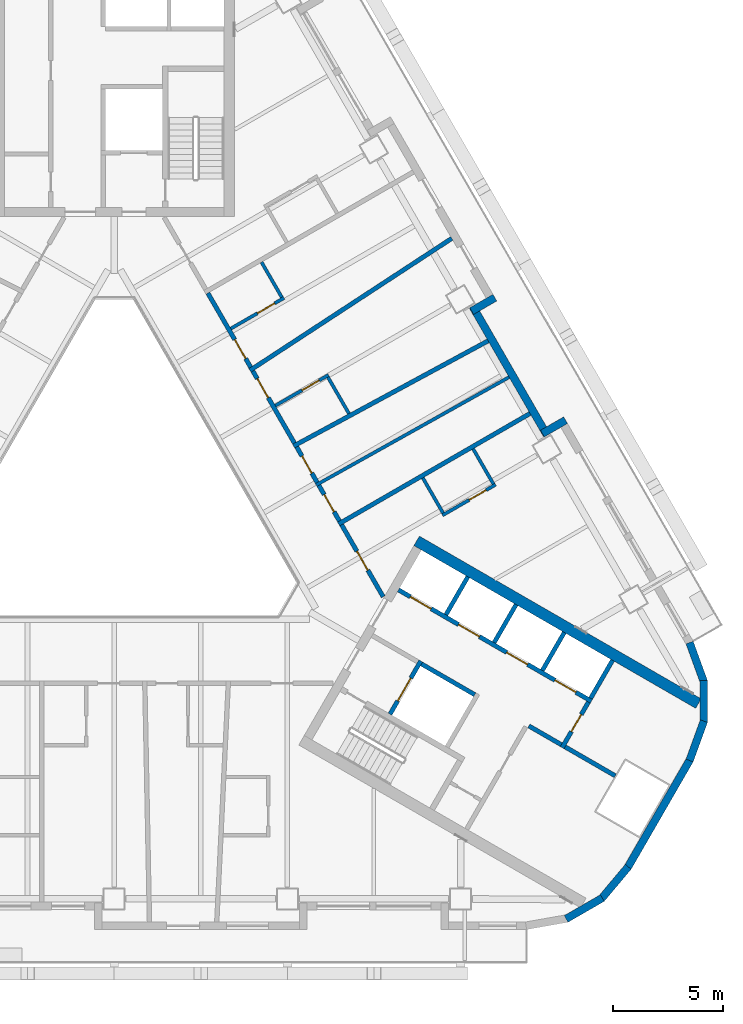
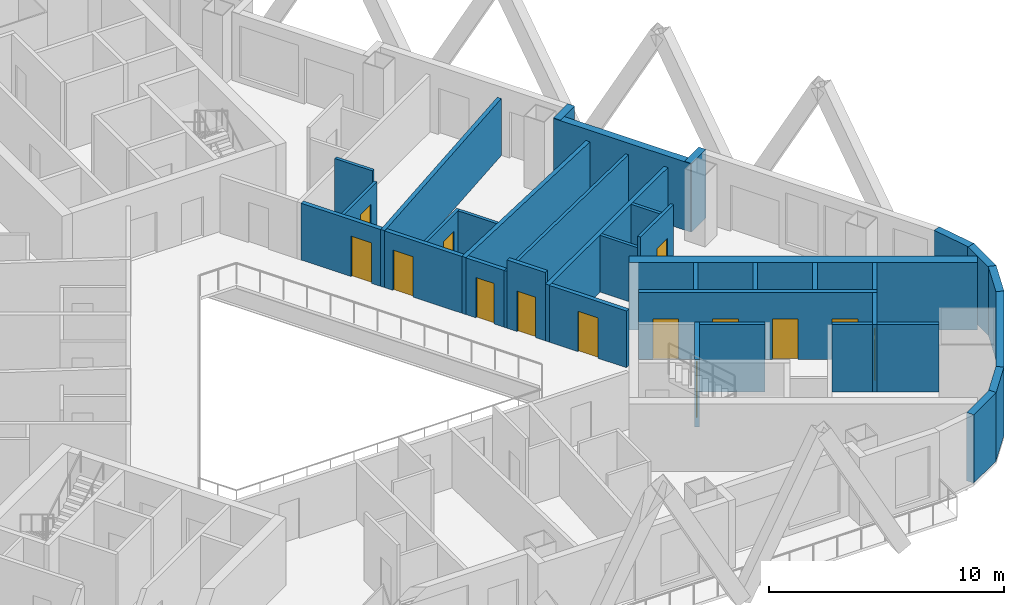
# One storey, part 8 of 17: 36 walls, 14 doors, 14 openings.
"""IFC4 building model written with IfcOpenShell, lengths in metres."""

from ifc_helpers import new_model, si_unit, direction, frame, frame_2d, origin, place, context, subcontext, project, spatial, rectangle, extrude, material, layer, layer_set, type_object, element, fill, save


model = new_model("IFC4")

# Units and contexts
model_context = context("Model", 3, precision=1e-05, world=origin(), true_north=direction((0.0, 1.0)))
body_context = subcontext(model_context, "Body", "Model", "MODEL_VIEW")
ifc_project = project(units=[si_unit("LENGTHUNIT", "METRE"), si_unit("AREAUNIT", "SQUARE_METRE"), si_unit("VOLUMEUNIT", "CUBIC_METRE"), si_unit("PLANEANGLEUNIT", "RADIAN"), si_unit("MASSUNIT", "GRAM", prefix="KILO")], contexts=[model_context])

# Site, building, storey
site_placement = place(None, origin())
site = spatial("IfcSite", under=ifc_project, at=site_placement, CompositionType="ELEMENT")
building_placement = place(site_placement, origin())
building = spatial("IfcBuilding", under=site, at=building_placement, Name="Apuvela Tower Hotel", CompositionType="ELEMENT")
storey_placement = place(building_placement, frame((0.0, 0.0, 46.5)))
storey = spatial("IfcBuildingStorey", under=building, at=storey_placement, Name="L08", CompositionType="ELEMENT", Elevation=46.5)

# Wall
ifc_material_1 = material(Name="Concrete C50/60", Category="concrete")
ifc_layer_1 = layer(ifc_material_1, 0.5)
ifc_layer_set_1 = layer_set([ifc_layer_1], Name="COR-WALL-CORE-500")
wall_type_1 = type_object("IfcWallType", Name="COR-WALL-CORE-500", PredefinedType="SHEAR", material=ifc_layer_set_1)
wall_1_placement = place(storey_placement, frame((13.796630859375, -1.9033203125, 0.0), z_axis=(0.0, 0.0, 1.0), x_axis=(0.866025009528, -0.500000682871, 0.0)))
element("IfcWall", 1, at=wall_1_placement, inside=storey, type_object=wall_type_1, Name="Core wall SE", PredefinedType="SHEAR", context=body_context, shape_type="SweptSolid", body=[
    extrude(rectangle(XDim=14.8369140625, YDim=0.5, at=frame_2d((7.41845703125, 0.0))), origin(), (0.0, 0.0, 1.0), 3.5),
])

# Wall, opening, door
ifc_layer_2 = layer(ifc_material_1, 0.199951171875)
ifc_layer_set_2 = layer_set([ifc_layer_2], Name="COR-WALL-SHAFT-200")
wall_type_2 = type_object("IfcWallType", Name="COR-WALL-SHAFT-200", PredefinedType="SHEAR", material=ifc_layer_set_2)
wall_2_placement = place(storey_placement, frame((12.583251953125, -9.805419921875, 0.0), z_axis=(0.0, 0.0, 1.0), x_axis=(0.49994636267, 0.866056369097, 0.0)))
wall_2 = element("IfcWall", 2, at=wall_2_placement, inside=storey, type_object=wall_type_2, Name="Shaft wall SE", PredefinedType="SHEAR", context=body_context, shape_type="SweptSolid", body=[
    extrude(rectangle(XDim=2.800048828125, YDim=0.199951171875, at=frame_2d((1.39990234375, 0.0))), origin(), (0.0, 0.0, 1.0), 3.5),
])
opening_1_placement = place(wall_2_placement, frame((0.699951171875, 0.0, 0.0)))
opening_1 = element("IfcOpeningElement", 3, at=opening_1_placement, cuts=wall_2, Name="Opening E-LD-FS3", PredefinedType="OPENING", context=body_context, shape_type="SweptSolid", body=[
    extrude(rectangle(XDim=1.199951171875, YDim=2.10009765625, at=frame_2d((0.60009765625, 1.050048828125))), frame((0.0, 0.10986328125, 0.0), z_axis=(0.0, -1.0, 0.0), x_axis=(1.0, 0.0, 0.0)), (0.0, 0.0, 1.0), 0.219970703125),
])
ifc_material_2 = material(Name="Stainless steel lift landing door", Category="steel")
door_type_1 = type_object("IfcDoorType", Name="COR-LD-1200", OperationType="DOUBLE_DOOR_SLIDING", PredefinedType="DOOR", material=ifc_material_2)
door_1_placement = place(opening_1_placement, origin())
door_1 = element("IfcDoor", 4, at=door_1_placement, inside=storey, type_object=door_type_1, Name="Lift landing door E-LD-FS3", OperationType="DOUBLE_DOOR_SLIDING", OverallHeight=2.10009765625, OverallWidth=1.199951171875, PredefinedType="DOOR", context=body_context, shape_type="SweptSolid", body=[
    extrude(rectangle(XDim=1.199951171875, YDim=2.10009765625, at=frame_2d((0.60009765625, 1.050048828125))), frame((0.0, 0.02490234375, 0.0), z_axis=(0.0, -1.0, 0.0), x_axis=(1.0, 0.0, 0.0)), (0.0, 0.0, 1.0), 0.050048828125),
])
fill(opening_1, door_1)

# Wall
wall_3_placement = place(storey_placement, frame((14.019775390625, -7.51708984375, 0.0), z_axis=(0.0, 0.0, 1.0), x_axis=(0.866034573852, -0.49998411664, 0.0)))
element("IfcWall", 5, at=wall_3_placement, inside=storey, type_object=wall_type_2, Name="Shaft wall SE", PredefinedType="SHEAR", context=body_context, shape_type="SweptSolid", body=[
    extrude(rectangle(XDim=2.7998046875, YDim=0.199951171875, at=frame_2d((1.39990234375, 0.0))), origin(), (0.0, 0.0, 1.0), 3.5),
])

# Wall, openings, doors
wall_4_placement = place(storey_placement, frame((12.968017578125, -4.138427734375, 0.0), z_axis=(0.0, 0.0, 1.0), x_axis=(0.866028328073, -0.49999493495, 0.0)))
wall_4 = element("IfcWall", 6, at=wall_4_placement, inside=storey, type_object=wall_type_2, Name="Shaft wall SE", PredefinedType="SHEAR", context=body_context, shape_type="SweptSolid", body=[
    extrude(rectangle(XDim=10.16015625, YDim=0.199951171875, at=frame_2d((5.080078125, 0.0))), origin(), (0.0, 0.0, 1.0), 3.5),
])
opening_2_placement = place(wall_4_placement, frame((0.6201171875, 0.0, 0.0)))
opening_2 = element("IfcOpeningElement", 7, at=opening_2_placement, cuts=wall_4, Name="Opening E-LD-LR1", PredefinedType="OPENING", context=body_context, shape_type="SweptSolid", body=[
    extrude(rectangle(XDim=1.10009765625, YDim=2.10009765625, at=frame_2d((0.550048828125, 1.050048828125))), frame((0.0, 0.10986328125, 0.0), z_axis=(0.0, -1.0, 0.0), x_axis=(1.0, 0.0, 0.0)), (0.0, 0.0, 1.0), 0.219970703125),
])
opening_3_placement = place(wall_4_placement, frame((3.159912109375, 0.0, 0.0)))
opening_3 = element("IfcOpeningElement", 8, at=opening_3_placement, cuts=wall_4, Name="Opening E-LD-LR2", PredefinedType="OPENING", context=body_context, shape_type="SweptSolid", body=[
    extrude(rectangle(XDim=1.10009765625, YDim=2.10009765625, at=frame_2d((0.550048828125, 1.050048828125))), frame((0.0, 0.10986328125, 0.0), z_axis=(0.0, -1.0, 0.0), x_axis=(1.0, 0.0, 0.0)), (0.0, 0.0, 1.0), 0.219970703125),
])
opening_4_placement = place(wall_4_placement, frame((5.699951171875, 0.0, 0.0)))
opening_4 = element("IfcOpeningElement", 9, at=opening_4_placement, cuts=wall_4, Name="Opening E-LD-LR3", PredefinedType="OPENING", context=body_context, shape_type="SweptSolid", body=[
    extrude(rectangle(XDim=1.10009765625, YDim=2.10009765625, at=frame_2d((0.550048828125, 1.050048828125))), frame((0.0, 0.10986328125, 0.0), z_axis=(0.0, -1.0, 0.0), x_axis=(1.0, 0.0, 0.0)), (0.0, 0.0, 1.0), 0.219970703125),
])
opening_5_placement = place(wall_4_placement, frame((8.239990234375, 0.0, 0.0)))
opening_5 = element("IfcOpeningElement", 10, at=opening_5_placement, cuts=wall_4, Name="Opening E-LD-LR4", PredefinedType="OPENING", context=body_context, shape_type="SweptSolid", body=[
    extrude(rectangle(XDim=1.10009765625, YDim=2.10009765625, at=frame_2d((0.550048828125, 1.050048828125))), frame((0.0, 0.10986328125, 0.0), z_axis=(0.0, -1.0, 0.0), x_axis=(1.0, 0.0, 0.0)), (0.0, 0.0, 1.0), 0.219970703125),
])
door_type_2 = type_object("IfcDoorType", Name="COR-LD-1100", OperationType="DOUBLE_DOOR_SLIDING", PredefinedType="DOOR", material=ifc_material_2)
door_2_placement = place(opening_2_placement, origin())
door_2 = element("IfcDoor", 11, at=door_2_placement, inside=storey, type_object=door_type_2, Name="Lift landing door E-LD-LR1", OperationType="DOUBLE_DOOR_SLIDING", OverallHeight=2.10009765625, OverallWidth=1.10009765625, PredefinedType="DOOR", context=body_context, shape_type="SweptSolid", body=[
    extrude(rectangle(XDim=1.10009765625, YDim=2.10009765625, at=frame_2d((0.550048828125, 1.050048828125))), frame((0.0, 0.02490234375, 0.0), z_axis=(0.0, -1.0, 0.0), x_axis=(1.0, 0.0, 0.0)), (0.0, 0.0, 1.0), 0.050048828125),
])
fill(opening_2, door_2)
door_3_placement = place(opening_3_placement, origin())
door_3 = element("IfcDoor", 12, at=door_3_placement, inside=storey, type_object=door_type_2, Name="Lift landing door E-LD-LR2", OperationType="DOUBLE_DOOR_SLIDING", OverallHeight=2.10009765625, OverallWidth=1.10009765625, PredefinedType="DOOR", context=body_context, shape_type="SweptSolid", body=[
    extrude(rectangle(XDim=1.10009765625, YDim=2.10009765625, at=frame_2d((0.550048828125, 1.050048828125))), frame((0.0, 0.02490234375, 0.0), z_axis=(0.0, -1.0, 0.0), x_axis=(1.0, 0.0, 0.0)), (0.0, 0.0, 1.0), 0.050048828125),
])
fill(opening_3, door_3)
door_4_placement = place(opening_4_placement, origin())
door_4 = element("IfcDoor", 13, at=door_4_placement, inside=storey, type_object=door_type_2, Name="Lift landing door E-LD-LR3", OperationType="DOUBLE_DOOR_SLIDING", OverallHeight=2.10009765625, OverallWidth=1.10009765625, PredefinedType="DOOR", context=body_context, shape_type="SweptSolid", body=[
    extrude(rectangle(XDim=1.10009765625, YDim=2.10009765625, at=frame_2d((0.550048828125, 1.050048828125))), frame((0.0, 0.02490234375, 0.0), z_axis=(0.0, -1.0, 0.0), x_axis=(1.0, 0.0, 0.0)), (0.0, 0.0, 1.0), 0.050048828125),
])
fill(opening_4, door_4)
door_5_placement = place(opening_5_placement, origin())
door_5 = element("IfcDoor", 14, at=door_5_placement, inside=storey, type_object=door_type_2, Name="Lift landing door E-LD-LR4", OperationType="DOUBLE_DOOR_SLIDING", OverallHeight=2.10009765625, OverallWidth=1.10009765625, PredefinedType="DOOR", context=body_context, shape_type="SweptSolid", body=[
    extrude(rectangle(XDim=1.10009765625, YDim=2.10009765625, at=frame_2d((0.550048828125, 1.050048828125))), frame((0.0, 0.02490234375, 0.0), z_axis=(0.0, -1.0, 0.0), x_axis=(1.0, 0.0, 0.0)), (0.0, 0.0, 1.0), 0.050048828125),
])
fill(opening_5, door_5)

# Wall, opening, door
wall_5_placement = place(storey_placement, frame((20.430419921875, -11.33349609375, 0.0), z_axis=(0.0, 0.0, 1.0), x_axis=(0.500001309137, 0.866024647952, 0.0)))
wall_5 = element("IfcWall", 15, at=wall_5_placement, inside=storey, type_object=wall_type_2, Name="Shaft wall SE", PredefinedType="SHEAR", context=body_context, shape_type="SweptSolid", body=[
    extrude(rectangle(XDim=2.39990234375, YDim=0.199951171875, at=frame_2d((1.199951171875, 0.0))), origin(), (0.0, 0.0, 1.0), 3.5),
])
opening_6_placement = place(wall_5_placement, frame((0.85009765625, 0.0, 0.0)))
opening_6 = element("IfcOpeningElement", 16, at=opening_6_placement, cuts=wall_5, Name="Opening E-REP", PredefinedType="OPENING", context=body_context, shape_type="SweptSolid", body=[
    extrude(rectangle(XDim=0.89990234375, YDim=2.10009765625, at=frame_2d((0.449951171875, 1.050048828125))), frame((0.0, 0.10986328125, 0.0), z_axis=(0.0, -1.0, 0.0), x_axis=(1.0, 0.0, 0.0)), (0.0, 0.0, 1.0), 0.219970703125),
])
ifc_material_3 = material(Name="Steel fire door, powder coated", Category="steel")
door_type_3 = type_object("IfcDoorType", Name="COR-DR-900", OperationType="NOTDEFINED", PredefinedType="DOOR", material=ifc_material_3)
door_6_placement = place(opening_6_placement, frame((0.89990234375, 0.0, 0.0), z_axis=(0.0, 0.0, 1.0), x_axis=(-1.0, 0.0, 0.0)))
door_6 = element("IfcDoor", 17, at=door_6_placement, inside=storey, type_object=door_type_3, Name="Store door E-REP", OperationType="SINGLE_SWING_RIGHT", OverallHeight=2.10009765625, OverallWidth=0.89990234375, PredefinedType="DOOR", context=body_context, shape_type="SweptSolid", body=[
    extrude(rectangle(XDim=0.89990234375, YDim=2.10009765625, at=frame_2d((0.449951171875, 1.050048828125))), frame((0.0, 0.02490234375, 0.0), z_axis=(0.0, -1.0, 0.0), x_axis=(1.0, 0.0, 0.0)), (0.0, 0.0, 1.0), 0.050048828125),
])
fill(opening_6, door_6)

# Walls
wall_6_placement = place(storey_placement, frame((18.912841796875, -10.342041015625, 0.0), z_axis=(0.0, 0.0, 1.0), x_axis=(0.866038183914, -0.499977863513, 0.0)))
element("IfcWall", 18, at=wall_6_placement, inside=storey, type_object=wall_type_2, Name="Shaft wall SE", PredefinedType="SHEAR", context=body_context, shape_type="SweptSolid", body=[
    extrude(rectangle(XDim=1.7099609375, YDim=0.199951171875, at=frame_2d((0.85498046875, 0.0))), origin(), (0.0, 0.0, 1.0), 3.5),
])
for number, where, z_axis, x_axis, name in (
    (19, (15.131103515625, -5.27197265625, 0.0), (0.0, 0.0, 1.0), (0.499972520799, 0.866041268327, 0.0), "Shaft wall SE"),
    (20, (17.330810546875, -6.5419921875, 0.0), (0.0, 0.0, 1.0), (0.499972520799, 0.866041268327, 0.0), "Shaft wall SE"),
    (21, (19.530517578125, -7.81201171875, 0.0), (0.0, 0.0, 1.0), (0.499972520799, 0.866041268327, 0.0), "Shaft wall SE"),
    (22, (21.73046875, -9.081787109375, 0.0), (0.0, 0.0, 1.0), (0.50002537861, 0.866010750942, 0.0), "Shaft wall SE"),
):
    element("IfcWall", number, at=place(storey_placement, frame(where, z_axis=z_axis, x_axis=x_axis)), inside=storey, type_object=wall_type_2, Name=name, PredefinedType="SHEAR", context=body_context, shape_type="SweptSolid", body=[
        extrude(rectangle(XDim=2.0, YDim=0.199951171875, at=frame_2d((1.0, 0.0))), origin(), (0.0, 0.0, 1.0), 3.5),
    ])
wall_7_placement = place(storey_placement, frame((20.56689453125, -11.297119140625, 0.0), z_axis=(0.0, 0.0, 1.0), x_axis=(0.866060851709, -0.499938597367, 0.0)))
element("IfcWall", 23, at=wall_7_placement, inside=storey, type_object=wall_type_2, Name="Shaft wall SE", PredefinedType="SHEAR", context=body_context, shape_type="SweptSolid", body=[
    extrude(rectangle(XDim=2.639892578125, YDim=0.199951171875, at=frame_2d((1.31982421875, 0.0))), origin(), (0.0, 0.0, 1.0), 3.5),
])
ifc_material_4 = material(Name="Concrete C40/50, dark pigmented precast panel", Category="concrete")
ifc_layer_3 = layer(ifc_material_4, 0.35009765625)
ifc_layer_set_3 = layer_set([ifc_layer_3], Name="ENV-WALL-350")
wall_type_3 = type_object("IfcWallType", Name="ENV-WALL-350", PredefinedType="SOLIDWALL", material=ifc_layer_set_3)
for number, where, z_axis, x_axis, name in (
    (24, (20.609619140625, -19.146728515625, 0.0), (0.0, 0.0, 1.0), (0.866000389056, 0.500043324278, 0.0), "External wall L08-27"),
    (25, (22.21728515625, -18.230712890625, 0.0), (0.0, 0.0, 1.0), (0.642733291068, 0.76609001857, 0.0), "External wall L08-28"),
):
    element("IfcWall", number, at=place(storey_placement, frame(where, z_axis=z_axis, x_axis=x_axis)), inside=storey, type_object=wall_type_3, Name=name, PredefinedType="SOLIDWALL", context=body_context, shape_type="SweptSolid", body=[
        extrude(rectangle(XDim=1.909912109375, YDim=0.35009765625, at=frame_2d((0.955078125, 0.0))), origin(), (0.0, 0.0, 1.0), 3.550048828125),
    ])
wall_8_placement = place(storey_placement, frame((23.427490234375, -16.79248046875, 0.0), z_axis=(0.0, 0.0, 1.0), x_axis=(0.500018773155, 0.866014564827, 0.0)))
element("IfcWall", 26, at=wall_8_placement, inside=storey, type_object=wall_type_3, Name="External wall L08-29", PredefinedType="SOLIDWALL", context=body_context, shape_type="SweptSolid", body=[
    extrude(rectangle(XDim=5.657958984375, YDim=0.35009765625, at=frame_2d((2.8291015625, 0.0))), origin(), (0.0, 0.0, 1.0), 3.550048828125),
])
for number, where, z_axis, x_axis, name in (
    (27, (26.24365234375, -11.920166015625, 0.0), (0.0, 0.0, 1.0), (0.342030395486, 0.939688889242, 0.0), "External wall L08-30"),
    (28, (26.88623046875, -10.18505859375, 0.0), (0.0, 0.0, 1.0), (0.0, 1.0, 0.0), "External wall L08-31"),
    (29, (26.89697265625, -8.334716796875, 0.0), (0.0, 0.0, 1.0), (-0.342030395486, 0.939688889242, 0.0), "External wall L08-32"),
):
    element("IfcWall", number, at=place(storey_placement, frame(where, z_axis=z_axis, x_axis=x_axis)), inside=storey, type_object=wall_type_3, Name=name, PredefinedType="SOLIDWALL", context=body_context, shape_type="SweptSolid", body=[
        extrude(rectangle(XDim=1.91015625, YDim=0.35009765625, at=frame_2d((0.955078125, 0.0))), origin(), (0.0, 0.0, 1.0), 3.550048828125),
    ])
wall_9_placement = place(storey_placement, frame((20.587646484375, 3.601318359375, 0.0), z_axis=(0.0, 0.0, 1.0), x_axis=(-0.866005645448, -0.500034220881, 0.0)))
element("IfcWall", 30, at=wall_9_placement, inside=storey, type_object=wall_type_3, Name="External wall L08-34", PredefinedType="SOLIDWALL", context=body_context, shape_type="SweptSolid", body=[
    extrude(rectangle(XDim=1.22021484375, YDim=0.35009765625, at=frame_2d((0.610107421875, 0.0))), origin(), (0.0, 0.0, 1.0), 3.550048828125),
])
wall_10_placement = place(storey_placement, frame((19.72900390625, 2.93798828125, 0.0), z_axis=(0.0, 0.0, 1.0), x_axis=(-0.499976430342, 0.866039011305, 0.0)))
element("IfcWall", 31, at=wall_10_placement, inside=storey, type_object=wall_type_3, Name="External wall L08-35", PredefinedType="SOLIDWALL", context=body_context, shape_type="SweptSolid", body=[
    extrude(rectangle(XDim=6.739990234375, YDim=0.35009765625, at=frame_2d((3.3701171875, 0.0))), origin(), (0.0, 0.0, 1.0), 3.550048828125),
])
wall_11_placement = place(storey_placement, frame((16.305908203125, 8.5771484375, 0.0), z_axis=(0.0, 0.0, 1.0), x_axis=(0.866092288191, 0.499884134912, 0.0)))
element("IfcWall", 32, at=wall_11_placement, inside=storey, type_object=wall_type_3, Name="External wall L08-36", PredefinedType="SOLIDWALL", context=body_context, shape_type="SweptSolid", body=[
    extrude(rectangle(XDim=1.219970703125, YDim=0.35009765625, at=frame_2d((0.60986328125, 0.0))), origin(), (0.0, 0.0, 1.0), 3.550048828125),
])
ifc_material_5 = material(Name="Gypsum board partition on twin steel stud", Category="steel")
ifc_layer_4 = layer(ifc_material_5, 0.199951171875)
ifc_layer_set_4 = layer_set([ifc_layer_4], Name="GST-PW1")
wall_type_4 = type_object("IfcWallType", Name="GST-PW1", PredefinedType="PARTITIONING", material=ifc_layer_set_4)
wall_12_placement = place(storey_placement, frame((18.967529296875, 3.9072265625, 0.0), z_axis=(0.0, 0.0, 1.0), x_axis=(-0.866022637375, -0.500004791531, 0.0)))
element("IfcWall", 33, at=wall_12_placement, inside=storey, type_object=wall_type_4, Name="L08 partition 04", PredefinedType="PARTITIONING", context=body_context, shape_type="SweptSolid", body=[
    extrude(rectangle(XDim=10.080078125, YDim=0.199951171875, at=frame_2d((5.0400390625, 0.0))), origin(), (0.0, 0.0, 1.0), 2.9599609375),
])
wall_13_placement = place(storey_placement, frame((17.054931640625, 7.2197265625, 0.0), z_axis=(0.0, 0.0, 1.0), x_axis=(-0.87960357017, -0.475707430407, 0.0)))
element("IfcWall", 34, at=wall_13_placement, inside=storey, type_object=wall_type_4, Name="L08 partition 05", PredefinedType="PARTITIONING", context=body_context, shape_type="SweptSolid", body=[
    extrude(rectangle(XDim=10.083740234375, YDim=0.199951171875, at=frame_2d((5.0419921875, 0.0))), origin(), (0.0, 0.0, 1.0), 2.9599609375),
])
wall_14_placement = place(storey_placement, frame((15.39697265625, 11.8916015625, 0.0), z_axis=(0.0, 0.0, 1.0), x_axis=(-0.836898817878, -0.547357624076, 0.0)))
element("IfcWall", 35, at=wall_14_placement, inside=storey, type_object=wall_type_4, Name="L08 partition 06", PredefinedType="PARTITIONING", context=body_context, shape_type="SweptSolid", body=[
    extrude(rectangle(XDim=10.9970703125, YDim=0.199951171875, at=frame_2d((5.49853515625, 0.0))), origin(), (0.0, 0.0, 1.0), 2.9599609375),
])

# Wall, opening, door
ifc_material_6 = material(Name="Gypsum board corridor wall on twin steel stud, acoustic", Category="steel")
ifc_layer_5 = layer(ifc_material_6, 0.199951171875)
ifc_layer_set_5 = layer_set([ifc_layer_5], Name="GST-PW2")
wall_type_5 = type_object("IfcWallType", Name="GST-PW2", PredefinedType="PARTITIONING", material=ifc_layer_set_5)
wall_15_placement = place(storey_placement, frame((10.37451171875, -1.16943359375, 0.0), z_axis=(0.0, 0.0, 1.0), x_axis=(0.500055316652, -0.865993464345, 0.0)))
wall_15 = element("IfcWall", 36, at=wall_15_placement, inside=storey, type_object=wall_type_5, Name="L08 partition 26", PredefinedType="PARTITIONING", context=body_context, shape_type="SweptSolid", body=[
    extrude(rectangle(XDim=3.7880859375, YDim=0.199951171875, at=frame_2d((1.89404296875, 0.0))), origin(), (0.0, 0.0, 1.0), 2.949951171875),
])
opening_7_placement = place(wall_15_placement, frame((1.39404296875, 0.0, 0.0)))
opening_7 = element("IfcOpeningElement", 37, at=opening_7_placement, cuts=wall_15, Name="Opening GD01-10", PredefinedType="OPENING", context=body_context, shape_type="SweptSolid", body=[
    extrude(rectangle(XDim=1.0, YDim=2.10009765625, at=frame_2d((0.5, 1.050048828125))), frame((0.0, 0.10986328125, 0.0), z_axis=(0.0, -1.0, 0.0), x_axis=(1.0, 0.0, 0.0)), (0.0, 0.0, 1.0), 0.219970703125),
])
ifc_material_7 = material(Name="Timber door leaf in steel frame", Category="steel")
door_type_4 = type_object("IfcDoorType", Name="GST-D1", OperationType="NOTDEFINED", PredefinedType="DOOR", material=ifc_material_7)
door_7_placement = place(opening_7_placement, origin())
door_7 = element("IfcDoor", 38, at=door_7_placement, inside=storey, type_object=door_type_4, Name="Door L08-10", OperationType="SINGLE_SWING_LEFT", OverallHeight=2.10009765625, OverallWidth=1.0, PredefinedType="DOOR", context=body_context, shape_type="SweptSolid", body=[
    extrude(rectangle(XDim=1.0, YDim=2.10009765625, at=frame_2d((0.5, 1.050048828125))), frame((0.0, 0.02490234375, 0.0), z_axis=(0.0, -1.0, 0.0), x_axis=(1.0, 0.0, 0.0)), (0.0, 0.0, 1.0), 0.050048828125),
])
fill(opening_7, door_7)

wall_16_placement = place(storey_placement, frame((9.33642578125, 0.62890625, 0.0), z_axis=(0.0, 0.0, 1.0), x_axis=(0.500015282227, -0.866016580407, 0.0)))
wall_16 = element("IfcWall", 39, at=wall_16_placement, inside=storey, type_object=wall_type_5, Name="L08 partition 31", PredefinedType="PARTITIONING", context=body_context, shape_type="SweptSolid", body=[
    extrude(rectangle(XDim=1.87646484375, YDim=0.199951171875, at=frame_2d((0.938232421875, 0.0))), origin(), (0.0, 0.0, 1.0), 3.550048828125),
])
opening_8_placement = place(wall_16_placement, frame((0.48828125, 0.0, 0.0)))
opening_8 = element("IfcOpeningElement", 40, at=opening_8_placement, cuts=wall_16, Name="Opening GD01-11", PredefinedType="OPENING", context=body_context, shape_type="SweptSolid", body=[
    extrude(rectangle(XDim=0.89990234375, YDim=2.10009765625, at=frame_2d((0.449951171875, 1.050048828125))), frame((0.0, 0.10986328125, 0.0), z_axis=(0.0, -1.0, 0.0), x_axis=(1.0, 0.0, 0.0)), (0.0, 0.0, 1.0), 0.219970703125),
])
door_type_5 = type_object("IfcDoorType", Name="GST-D2", OperationType="NOTDEFINED", PredefinedType="DOOR", material=ifc_material_7)
door_8_placement = place(opening_8_placement, origin())
door_8 = element("IfcDoor", 41, at=door_8_placement, inside=storey, type_object=door_type_5, Name="Door L08-11", OperationType="SINGLE_SWING_LEFT", OverallHeight=2.10009765625, OverallWidth=0.89990234375, PredefinedType="DOOR", context=body_context, shape_type="SweptSolid", body=[
    extrude(rectangle(XDim=0.89990234375, YDim=2.10009765625, at=frame_2d((0.449951171875, 1.050048828125))), frame((0.0, 0.02490234375, 0.0), z_axis=(0.0, -1.0, 0.0), x_axis=(1.0, 0.0, 0.0)), (0.0, 0.0, 1.0), 0.050048828125),
])
fill(opening_8, door_8)

wall_17_placement = place(storey_placement, frame((8.3232421875, 2.3837890625, 0.0), z_axis=(0.0, 0.0, 1.0), x_axis=(0.500015282227, -0.866016580407, 0.0)))
wall_17 = element("IfcWall", 42, at=wall_17_placement, inside=storey, type_object=wall_type_5, Name="L08 partition 32", PredefinedType="PARTITIONING", context=body_context, shape_type="SweptSolid", body=[
    extrude(rectangle(XDim=1.87646484375, YDim=0.199951171875, at=frame_2d((0.938232421875, 0.0))), origin(), (0.0, 0.0, 1.0), 2.949951171875),
])
opening_9_placement = place(wall_17_placement, frame((0.48828125, 0.0, 0.0)))
opening_9 = element("IfcOpeningElement", 43, at=opening_9_placement, cuts=wall_17, Name="Opening GD01-12", PredefinedType="OPENING", context=body_context, shape_type="SweptSolid", body=[
    extrude(rectangle(XDim=0.89990234375, YDim=2.10009765625, at=frame_2d((0.449951171875, 1.050048828125))), frame((0.0, 0.10986328125, 0.0), z_axis=(0.0, -1.0, 0.0), x_axis=(1.0, 0.0, 0.0)), (0.0, 0.0, 1.0), 0.219970703125),
])
door_9_placement = place(opening_9_placement, origin())
door_9 = element("IfcDoor", 44, at=door_9_placement, inside=storey, type_object=door_type_5, Name="Door L08-12", OperationType="SINGLE_SWING_RIGHT", OverallHeight=2.10009765625, OverallWidth=0.89990234375, PredefinedType="DOOR", context=body_context, shape_type="SweptSolid", body=[
    extrude(rectangle(XDim=0.89990234375, YDim=2.10009765625, at=frame_2d((0.449951171875, 1.050048828125))), frame((0.0, 0.02490234375, 0.0), z_axis=(0.0, -1.0, 0.0), x_axis=(1.0, 0.0, 0.0)), (0.0, 0.0, 1.0), 0.050048828125),
])
fill(opening_9, door_9)

wall_18_placement = place(storey_placement, frame((6.327392578125, 5.840576171875, 0.0), z_axis=(0.0, 0.0, 1.0), x_axis=(0.499982560684, -0.866035472144, 0.0)))
wall_18 = element("IfcWall", 45, at=wall_18_placement, inside=storey, type_object=wall_type_5, Name="L08 partition 33", PredefinedType="PARTITIONING", context=body_context, shape_type="SweptSolid", body=[
    extrude(rectangle(XDim=3.791748046875, YDim=0.199951171875, at=frame_2d((1.89599609375, 0.0))), origin(), (0.0, 0.0, 1.0), 2.949951171875),
])
opening_10_placement = place(wall_18_placement, frame((0.4013671875, 0.0, 0.0)))
opening_10 = element("IfcOpeningElement", 46, at=opening_10_placement, cuts=wall_18, Name="Opening GD01-14", PredefinedType="OPENING", context=body_context, shape_type="SweptSolid", body=[
    extrude(rectangle(XDim=1.0, YDim=2.10009765625, at=frame_2d((0.5, 1.050048828125))), frame((0.0, 0.10986328125, 0.0), z_axis=(0.0, -1.0, 0.0), x_axis=(1.0, 0.0, 0.0)), (0.0, 0.0, 1.0), 0.219970703125),
])
door_10_placement = place(opening_10_placement, origin())
door_10 = element("IfcDoor", 47, at=door_10_placement, inside=storey, type_object=door_type_4, Name="Door L08-14", OperationType="SINGLE_SWING_LEFT", OverallHeight=2.10009765625, OverallWidth=1.0, PredefinedType="DOOR", context=body_context, shape_type="SweptSolid", body=[
    extrude(rectangle(XDim=1.0, YDim=2.10009765625, at=frame_2d((0.5, 1.050048828125))), frame((0.0, 0.02490234375, 0.0), z_axis=(0.0, -1.0, 0.0), x_axis=(1.0, 0.0, 0.0)), (0.0, 0.0, 1.0), 0.050048828125),
])
fill(opening_10, door_10)

wall_19_placement = place(storey_placement, frame((4.274658203125, 9.396240234375, 0.0), z_axis=(0.0, 0.0, 1.0), x_axis=(0.499971370958, -0.866041932139, 0.0)))
wall_19 = element("IfcWall", 48, at=wall_19_placement, inside=storey, type_object=wall_type_5, Name="L08 partition 36", PredefinedType="PARTITIONING", context=body_context, shape_type="SweptSolid", body=[
    extrude(rectangle(XDim=3.905517578125, YDim=0.199951171875, at=frame_2d((1.95263671875, 0.0))), origin(), (0.0, 0.0, 1.0), 2.949951171875),
])
opening_11_placement = place(wall_19_placement, frame((2.449951171875, 0.0, 0.0)))
opening_11 = element("IfcOpeningElement", 49, at=opening_11_placement, cuts=wall_19, Name="Opening GD01-16", PredefinedType="OPENING", context=body_context, shape_type="SweptSolid", body=[
    extrude(rectangle(XDim=1.0, YDim=2.10009765625, at=frame_2d((0.5, 1.050048828125))), frame((0.0, 0.10986328125, 0.0), z_axis=(0.0, -1.0, 0.0), x_axis=(1.0, 0.0, 0.0)), (0.0, 0.0, 1.0), 0.219970703125),
])
door_11_placement = place(opening_11_placement, origin())
door_11 = element("IfcDoor", 50, at=door_11_placement, inside=storey, type_object=door_type_4, Name="Door L08-16", OperationType="SINGLE_SWING_RIGHT", OverallHeight=2.10009765625, OverallWidth=1.0, PredefinedType="DOOR", context=body_context, shape_type="SweptSolid", body=[
    extrude(rectangle(XDim=1.0, YDim=2.10009765625, at=frame_2d((0.5, 1.050048828125))), frame((0.0, 0.02490234375, 0.0), z_axis=(0.0, -1.0, 0.0), x_axis=(1.0, 0.0, 0.0)), (0.0, 0.0, 1.0), 0.050048828125),
])
fill(opening_11, door_11)

ifc_material_8 = material(Name="Moisture-resistant gypsum board wet wall on steel stud", Category="steel")
ifc_layer_6 = layer(ifc_material_8, 0.14990234375)
ifc_layer_set_6 = layer_set([ifc_layer_6], Name="GST-PW3")
wall_type_6 = type_object("IfcWallType", Name="GST-PW3", PredefinedType="PARTITIONING", material=ifc_layer_set_6)
wall_20_placement = place(storey_placement, frame((14.974365234375, -0.736572265625, 0.0), z_axis=(0.0, 0.0, 1.0), x_axis=(0.866018616679, 0.500011755427, 0.0)))
wall_20 = element("IfcWall", 51, at=wall_20_placement, inside=storey, type_object=wall_type_6, Name="L08 partition 27", PredefinedType="PARTITIONING", context=body_context, shape_type="SweptSolid", body=[
    extrude(rectangle(XDim=2.80029296875, YDim=0.14990234375, at=frame_2d((1.400146484375, 0.0))), origin(), (0.0, 0.0, 1.0), 3.550048828125),
])
opening_12_placement = place(wall_20_placement, frame((1.39990234375, 0.0, 0.0)))
opening_12 = element("IfcOpeningElement", 52, at=opening_12_placement, cuts=wall_20, Name="Opening GD01-09", PredefinedType="OPENING", context=body_context, shape_type="SweptSolid", body=[
    extrude(rectangle(XDim=0.89990234375, YDim=2.10009765625, at=frame_2d((0.449951171875, 1.050048828125))), frame((0.0, 0.0849609375, 0.0), z_axis=(0.0, -1.0, 0.0), x_axis=(1.0, 0.0, 0.0)), (0.0, 0.0, 1.0), 0.169921875),
])
door_12_placement = place(opening_12_placement, origin())
door_12 = element("IfcDoor", 53, at=door_12_placement, inside=storey, type_object=door_type_5, Name="Door L08-09", OperationType="SINGLE_SWING_RIGHT", OverallHeight=2.10009765625, OverallWidth=0.89990234375, PredefinedType="DOOR", context=body_context, shape_type="SweptSolid", body=[
    extrude(rectangle(XDim=0.89990234375, YDim=2.10009765625, at=frame_2d((0.449951171875, 1.050048828125))), frame((0.0, 0.02490234375, 0.0), z_axis=(0.0, -1.0, 0.0), x_axis=(1.0, 0.0, 0.0)), (0.0, 0.0, 1.0), 0.050048828125),
])
fill(opening_12, door_12)

# Walls
wall_21_placement = place(storey_placement, frame((17.296875, 0.69091796875, 0.0), z_axis=(0.0, 0.0, 1.0), x_axis=(-0.499985172903, 0.866033964044, 0.0)))
element("IfcWall", 54, at=wall_21_placement, inside=storey, type_object=wall_type_6, Name="L08 partition 28", PredefinedType="PARTITIONING", context=body_context, shape_type="SweptSolid", body=[
    extrude(rectangle(XDim=1.85009765625, YDim=0.14990234375, at=frame_2d((0.925048828125, 0.0))), origin(), (0.0, 0.0, 1.0), 2.949951171875),
])
wall_22_placement = place(storey_placement, frame((15.001953125, -0.634033203125, 0.0), z_axis=(0.0, 0.0, 1.0), x_axis=(-0.500042316284, 0.866000971088, 0.0)))
element("IfcWall", 55, at=wall_22_placement, inside=storey, type_object=wall_type_6, Name="L08 partition 29", PredefinedType="PARTITIONING", context=body_context, shape_type="SweptSolid", body=[
    extrude(rectangle(XDim=1.849853515625, YDim=0.14990234375, at=frame_2d((0.9248046875, 0.0))), origin(), (0.0, 0.0, 1.0), 2.949951171875),
])
wall_23_placement = place(storey_placement, frame((18.01123046875, 5.5634765625, 0.0), z_axis=(0.0, 0.0, 1.0), x_axis=(-0.872898889426, -0.487901146585, 0.0)))
element("IfcWall", 56, at=wall_23_placement, inside=storey, type_object=wall_type_6, Name="L08 partition 30", PredefinedType="PARTITIONING", context=body_context, shape_type="SweptSolid", body=[
    extrude(rectangle(XDim=10.080810546875, YDim=0.14990234375, at=frame_2d((5.04052734375, 0.0))), origin(), (0.0, 0.0, 1.0), 2.949951171875),
])

# Wall, opening, door
wall_24_placement = place(storey_placement, frame((9.77783203125, 5.664306640625, 0.0), z_axis=(0.0, 0.0, 1.0), x_axis=(-0.866034573852, -0.49998411664, 0.0)))
wall_24 = element("IfcWall", 57, at=wall_24_placement, inside=storey, type_object=wall_type_6, Name="L08 partition 34", PredefinedType="PARTITIONING", context=body_context, shape_type="SweptSolid", body=[
    extrude(rectangle(XDim=2.7998046875, YDim=0.14990234375, at=frame_2d((1.39990234375, 0.0))), origin(), (0.0, 0.0, 1.0), 2.949951171875),
])
opening_13_placement = place(wall_24_placement, frame((0.5, 0.0, 0.0)))
opening_13 = element("IfcOpeningElement", 58, at=opening_13_placement, cuts=wall_24, Name="Opening GD01-13", PredefinedType="OPENING", context=body_context, shape_type="SweptSolid", body=[
    extrude(rectangle(XDim=0.89990234375, YDim=2.10009765625, at=frame_2d((0.449951171875, 1.050048828125))), frame((0.0, 0.0849609375, 0.0), z_axis=(0.0, -1.0, 0.0), x_axis=(1.0, 0.0, 0.0)), (0.0, 0.0, 1.0), 0.169921875),
])
door_13_placement = place(opening_13_placement, origin())
door_13 = element("IfcDoor", 59, at=door_13_placement, inside=storey, type_object=door_type_5, Name="Door L08-13", OperationType="SINGLE_SWING_LEFT", OverallHeight=2.10009765625, OverallWidth=0.89990234375, PredefinedType="DOOR", context=body_context, shape_type="SweptSolid", body=[
    extrude(rectangle(XDim=0.89990234375, YDim=2.10009765625, at=frame_2d((0.449951171875, 1.050048828125))), frame((0.0, 0.02490234375, 0.0), z_axis=(0.0, -1.0, 0.0), x_axis=(1.0, 0.0, 0.0)), (0.0, 0.0, 1.0), 0.050048828125),
])
fill(opening_13, door_13)

# Wall
wall_25_placement = place(storey_placement, frame((10.708984375, 3.9013671875, 0.0), z_axis=(0.0, 0.0, 1.0), x_axis=(-0.499946593449, 0.866056235875, 0.0)))
element("IfcWall", 60, at=wall_25_placement, inside=storey, type_object=wall_type_6, Name="L08 partition 35", PredefinedType="PARTITIONING", context=body_context, shape_type="SweptSolid", body=[
    extrude(rectangle(XDim=1.917236328125, YDim=0.14990234375, at=frame_2d((0.95849609375, 0.0))), origin(), (0.0, 0.0, 1.0), 2.949951171875),
])

# Wall, opening, door
wall_26_placement = place(storey_placement, frame((5.32373046875, 7.779052734375, 0.0), z_axis=(0.0, 0.0, 1.0), x_axis=(0.865996816683, 0.500049511043, 0.0)))
wall_26 = element("IfcWall", 61, at=wall_26_placement, inside=storey, type_object=wall_type_6, Name="L08 partition 37", PredefinedType="PARTITIONING", context=body_context, shape_type="SweptSolid", body=[
    extrude(rectangle(XDim=2.800048828125, YDim=0.14990234375, at=frame_2d((1.39990234375, 0.0))), origin(), (0.0, 0.0, 1.0), 2.949951171875),
])
opening_14_placement = place(wall_26_placement, frame((1.39990234375, 0.0, 0.0)))
opening_14 = element("IfcOpeningElement", 62, at=opening_14_placement, cuts=wall_26, Name="Opening GD01-15", PredefinedType="OPENING", context=body_context, shape_type="SweptSolid", body=[
    extrude(rectangle(XDim=0.89990234375, YDim=2.10009765625, at=frame_2d((0.449951171875, 1.050048828125))), frame((0.0, 0.0849609375, 0.0), z_axis=(0.0, -1.0, 0.0), x_axis=(1.0, 0.0, 0.0)), (0.0, 0.0, 1.0), 0.169921875),
])
door_14_placement = place(opening_14_placement, origin())
door_14 = element("IfcDoor", 63, at=door_14_placement, inside=storey, type_object=door_type_5, Name="Door L08-15", OperationType="SINGLE_SWING_RIGHT", OverallHeight=2.10009765625, OverallWidth=0.89990234375, PredefinedType="DOOR", context=body_context, shape_type="SweptSolid", body=[
    extrude(rectangle(XDim=0.89990234375, YDim=2.10009765625, at=frame_2d((0.449951171875, 1.050048828125))), frame((0.0, 0.02490234375, 0.0), z_axis=(0.0, -1.0, 0.0), x_axis=(1.0, 0.0, 0.0)), (0.0, 0.0, 1.0), 0.050048828125),
])
fill(opening_14, door_14)

# Wall
wall_27_placement = place(storey_placement, frame((7.64599609375, 9.20654296875, 0.0), z_axis=(0.0, 0.0, 1.0), x_axis=(-0.49994333299, 0.866058118026, 0.0)))
element("IfcWall", 64, at=wall_27_placement, inside=storey, type_object=wall_type_6, Name="L08 partition 38", PredefinedType="PARTITIONING", context=body_context, shape_type="SweptSolid", body=[
    extrude(rectangle(XDim=1.849853515625, YDim=0.14990234375, at=frame_2d((0.9248046875, 0.0))), origin(), (0.0, 0.0, 1.0), 3.550048828125),
])

save(model, "model.ifc")
